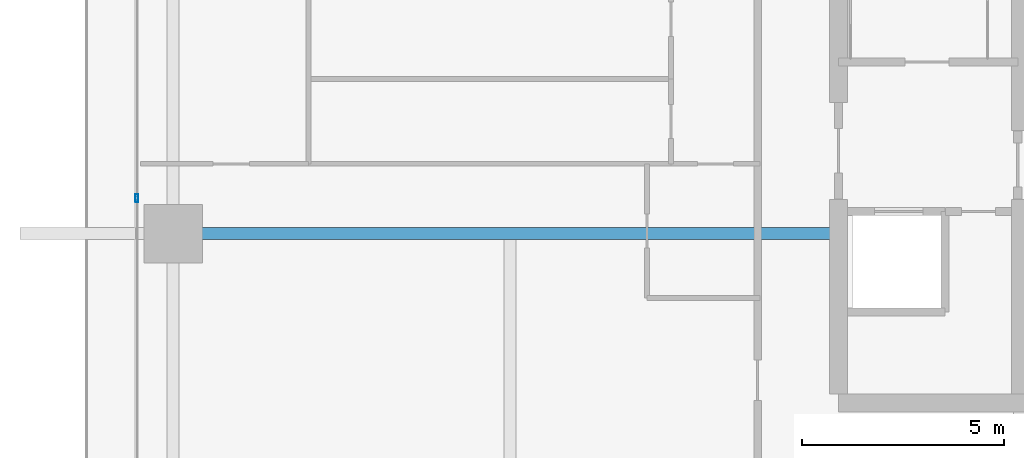
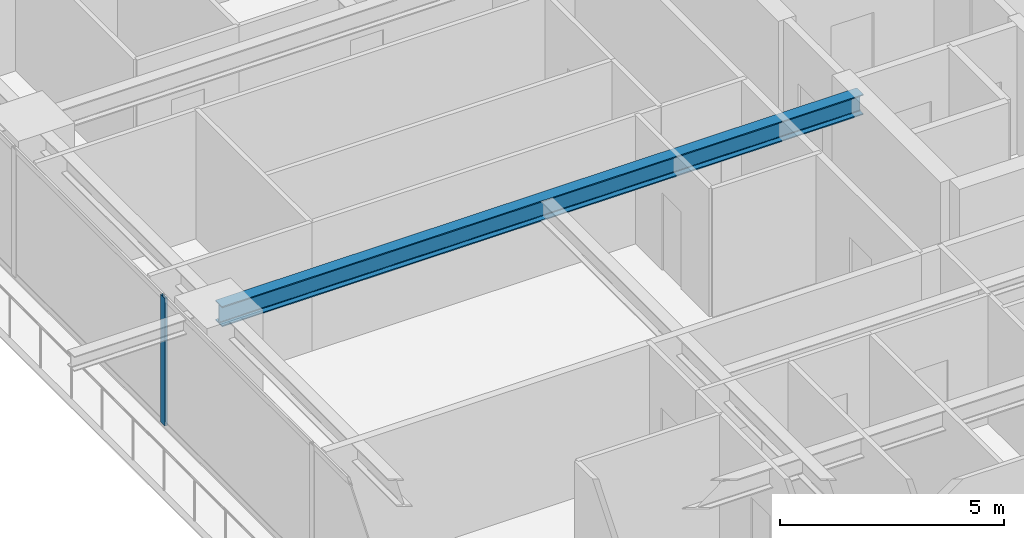
# One storey, part 7 of 38: 1 beam, 1 member, 1 element without a shape of its own.
"""IFC4 building model written with IfcOpenShell, lengths in metres."""

from ifc_helpers import new_model, si_unit, direction, frame, origin, origin_2d, place, context, subcontext, project, spatial, hollow_rectangle, i_section, extrude, source, transform, mapped, material, layer, layer_set, material_profile, profile_set, type_object, element, aggregate, save


model = new_model("IFC4")

# Units and contexts
model_context = context("Model", 3, precision=1e-05, world=origin(), true_north=direction((0.0, 1.0)))
body_context = subcontext(model_context, "Body", "Model", "MODEL_VIEW")
ifc_project = project(units=[si_unit("LENGTHUNIT", "METRE"), si_unit("AREAUNIT", "SQUARE_METRE"), si_unit("VOLUMEUNIT", "CUBIC_METRE"), si_unit("PLANEANGLEUNIT", "RADIAN"), si_unit("MASSUNIT", "GRAM", prefix="KILO")], contexts=[model_context])

# Site, building, storey
site_placement = place(None, origin())
site = spatial("IfcSite", under=ifc_project, at=site_placement, CompositionType="ELEMENT")
building_placement = place(site_placement, origin())
building = spatial("IfcBuilding", under=site, at=building_placement, Name="Serunith Strait Residences", CompositionType="ELEMENT")
storey_placement = place(building_placement, frame((0.0, 0.0, 82.949951171875)))
storey = spatial("IfcBuildingStorey", under=building, at=storey_placement, Name="L20", CompositionType="ELEMENT", Elevation=82.949951171875)

# Beam
ifc_material_1 = material(Name="Steel S355J2", Category="steel")
ifc_material_profile_1 = material_profile(ifc_material_1, i_section(OverallWidth=0.300048828125, OverallDepth=0.550048828125, WebThickness=0.014892578125, FlangeThickness=0.029052734375, FilletRadius=0.027099609375, at=origin_2d()), Name="HEB 550")
ifc_profile_set_1 = profile_set([ifc_material_profile_1], Name="Steel S355J2")
beam_type = type_object("IfcBeamType", Name="BM-HEB550", PredefinedType="BEAM", material=ifc_profile_set_1)
shared_shape_1 = source(origin(), body_context, "Body", "SweptSolid", [
    extrude(i_section(OverallWidth=0.300048828125, OverallDepth=0.550048828125, WebThickness=0.014892578125, FlangeThickness=0.029052734375, FilletRadius=0.027099609375, at=origin_2d()), origin(), (0.0, 0.0, 1.0), 16.5),
])
beam_placement = place(storey_placement, frame((23.39990234375, 21.0, 3.212158203125), z_axis=(-1.0, 0.0, 0.0), x_axis=(0.0, -1.0, 0.0)))
element("IfcBeam", 1, at=beam_placement, inside=storey, type_object=beam_type, Name="L20 Primary Floor Girder TC-W2", PredefinedType="BEAM", context=body_context, shape_type="MappedRepresentation", body=[
    mapped(shared_shape_1, transform((0.0, 0.0, 0.0), scale=1.0)),
])

# Curtain wall, member
ifc_material_2 = material(Name="Pale-Champagne Anodised Aluminium", Category="aluminium")
ifc_layer = layer(ifc_material_2, 0.199951171875, Name="Pale-Champagne Anodised Aluminium")
ifc_layer_set = layer_set([ifc_layer], Name="Pale-Champagne Anodised Aluminium")
curtain_wall_type = type_object("IfcCurtainWallType", Name="CW-SYS1", PredefinedType="NOTDEFINED", material=ifc_layer_set)
curtain_wall_placement = place(storey_placement, origin())
curtain_wall = element("IfcCurtainWall", 2, at=curtain_wall_placement, inside=storey, type_object=curtain_wall_type, Name="L20 W Unitised Fritted Curtain Wall", PredefinedType="NOTDEFINED")
ifc_material_profile_2 = material_profile(ifc_material_2, hollow_rectangle(XDim=0.070068359375, YDim=0.199951171875, WallThickness=0.00390625, InnerFilletRadius=0.006103515625, OuterFilletRadius=0.010009765625, at=origin_2d()), Name="ALU 200x70x4")
ifc_profile_set_2 = profile_set([ifc_material_profile_2], Name="Pale-Champagne Anodised Aluminium")
member_type = type_object("IfcMemberType", Name="CW-SYS1-MULL", PredefinedType="MULLION", material=ifc_profile_set_2)
shared_shape_2 = source(origin(), body_context, "Body", "SweptSolid", [
    extrude(hollow_rectangle(XDim=0.070068359375, YDim=0.199951171875, WallThickness=0.00390625, InnerFilletRadius=0.006103515625, OuterFilletRadius=0.010009765625, at=origin_2d()), origin(), (0.0, 0.0, 1.0), 3.47509765625),
])
member_placement = place(storey_placement, frame((6.0, 21.8798828125, 0.0), z_axis=(0.0, 0.0, 1.0), x_axis=(1.0, 0.0, 0.0)))
member = element("IfcMember", 3, at=member_placement, type_object=member_type, Name="CW-1 mullion 4", PredefinedType="MULLION", context=body_context, shape_type="MappedRepresentation", body=[
    mapped(shared_shape_2, transform((0.0, 0.0, 0.0), scale=1.0)),
])
aggregate(curtain_wall, [member])

save(model, "model.ifc")
